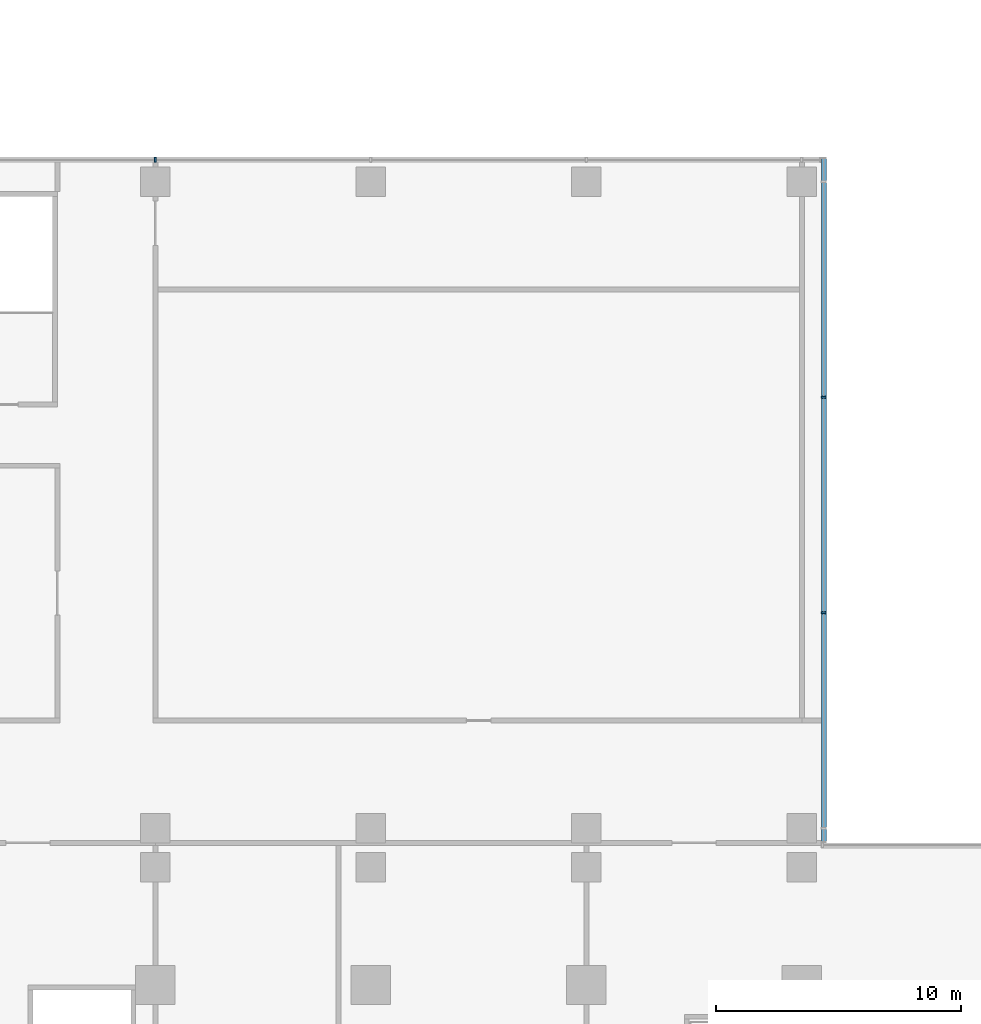
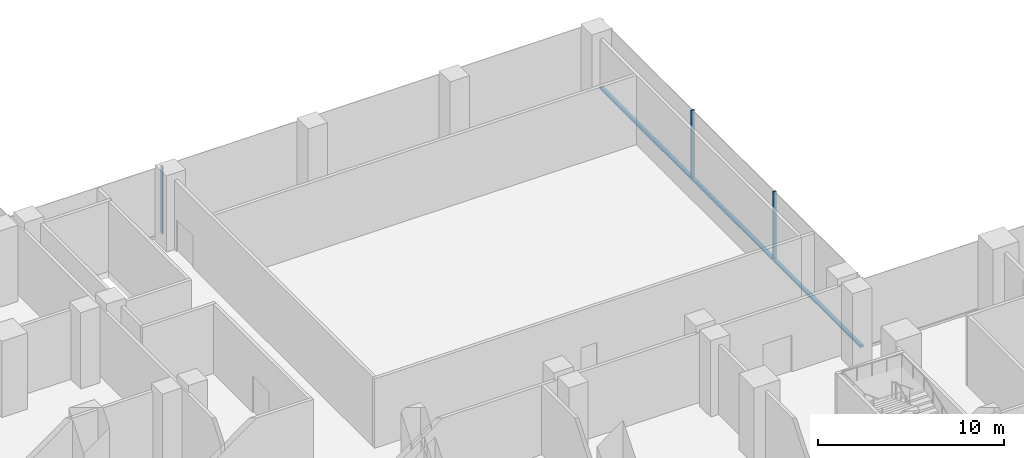
# One storey, part 8 of 27: 4 members, 2 elements without a shape of their own.
"""IFC4 building model written with IfcOpenShell, lengths in metres."""

from ifc_helpers import new_model, si_unit, direction, frame, origin, origin_2d, place, context, subcontext, project, spatial, rectangle, extrude, source, transform, mapped, material, material_profile, profile_set, type_object, element, aggregate, save


model = new_model("IFC4")

# Units and contexts
model_context = context("Model", 3, precision=1e-05, world=origin(), true_north=direction((0.0, 1.0)))
body_context = subcontext(model_context, "Body", "Model", "MODEL_VIEW")
ifc_project = project(units=[si_unit("LENGTHUNIT", "METRE"), si_unit("AREAUNIT", "SQUARE_METRE"), si_unit("VOLUMEUNIT", "CUBIC_METRE"), si_unit("PLANEANGLEUNIT", "RADIAN"), si_unit("MASSUNIT", "GRAM", prefix="KILO")], contexts=[model_context])

# Site, building, storey
site_placement = place(None, origin())
site = spatial("IfcSite", under=ifc_project, at=site_placement, CompositionType="ELEMENT")
building_placement = place(site_placement, origin())
building = spatial("IfcBuilding", under=site, at=building_placement, Name="Kemantara Hotel Tower", CompositionType="ELEMENT")
storey_placement = place(building_placement, frame((0.0, 0.0, 29.0)))
storey = spatial("IfcBuildingStorey", under=building, at=storey_placement, Name="L05", CompositionType="ELEMENT", Elevation=29.0)

# Curtain wall, members
ifc_material_1 = material(Name="Laminated tinted insulated glass 44 mm", Category="glass")
curtain_wall_type = type_object("IfcCurtainWallType", Name="PODIUM GLASS CURTAIN WALL", PredefinedType="USERDEFINED", material=ifc_material_1)
curtain_wall_1_placement = place(storey_placement, origin())
curtain_wall_1 = element("IfcCurtainWall", 1, at=curtain_wall_1_placement, inside=storey, type_object=curtain_wall_type, Name="CW1 L05 POD-R08-1", ObjectType="PODIUM GLASS CURTAIN WALL", PredefinedType="USERDEFINED")
ifc_material_2 = material(Name="Aluminium 6063-T6 bronze anodised", Category="aluminium")
ifc_material_profile_1 = material_profile(ifc_material_2, rectangle(XDim=0.199951171875, YDim=0.14990234375, at=origin_2d()), Name="PODIUM GLASS CURTAIN WALL TRANSOM")
ifc_profile_set_1 = profile_set([ifc_material_profile_1], Name="Aluminium 6063-T6 bronze anodised")
member_type_1 = type_object("IfcMemberType", Name="PODIUM GLASS CURTAIN WALL TRANSOM", PredefinedType="USERDEFINED", material=ifc_profile_set_1)
member_1_placement = place(storey_placement, frame((63.5, 26.800048828125, 0.074951171875), z_axis=(0.0, 1.0, 0.0), x_axis=(-1.0, 0.0, 0.0)))
member_1 = element("IfcMember", 2, at=member_1_placement, type_object=member_type_1, Name="CW1 sill transom POD-R08-1", ObjectType="TRANSOM", PredefinedType="USERDEFINED", context=body_context, shape_type="SweptSolid", body=[
    extrude(rectangle(XDim=0.199951171875, YDim=0.14990234375, at=origin_2d()), origin(), (0.0, 0.0, 1.0), 28.0),
])
ifc_material_profile_2 = material_profile(ifc_material_2, rectangle(XDim=0.199951171875, YDim=0.074951171875, at=origin_2d()), Name="PODIUM GLASS CURTAIN WALL MULLION")
ifc_profile_set_2 = profile_set([ifc_material_profile_2], Name="Aluminium 6063-T6 bronze anodised")
member_type_2 = type_object("IfcMemberType", Name="PODIUM GLASS CURTAIN WALL MULLION", PredefinedType="MULLION", material=ifc_profile_set_2)
shared_shape = source(origin(), body_context, "Body", "SweptSolid", [
    extrude(rectangle(XDim=0.199951171875, YDim=0.074951171875, at=origin_2d()), origin(), (0.0, 0.0, 1.0), 4.400146484375),
])
member_2_placement = place(storey_placement, frame((63.5, 36.199951171875, 0.14990234375), z_axis=(0.0, 0.0, 1.0), x_axis=(-1.0, 0.0, 0.0)))
member_2 = element("IfcMember", 3, at=member_2_placement, type_object=member_type_2, Name="CW1 mullion POD-R08-1.3", PredefinedType="MULLION", context=body_context, shape_type="MappedRepresentation", body=[
    mapped(shared_shape, transform((0.0, 0.0, 0.0))),
])
member_3_placement = place(storey_placement, frame((63.5, 45.0, 0.14990234375), z_axis=(0.0, 0.0, 1.0), x_axis=(-1.0, 0.0, 0.0)))
member_3 = element("IfcMember", 4, at=member_3_placement, type_object=member_type_2, Name="CW1 mullion POD-R08-1.4", PredefinedType="MULLION", context=body_context, shape_type="MappedRepresentation", body=[
    mapped(shared_shape, transform((0.0, 0.0, 0.0))),
])
aggregate(curtain_wall_1, [member_1, member_2, member_3])

# Curtain wall, member
curtain_wall_2_placement = place(storey_placement, origin())
curtain_wall_2 = element("IfcCurtainWall", 5, at=curtain_wall_2_placement, inside=storey, type_object=curtain_wall_type, Name="CW1 L05 POD-R09-1", ObjectType="PODIUM GLASS CURTAIN WALL", PredefinedType="USERDEFINED")
member_4_placement = place(storey_placement, frame((36.199951171875, 54.699951171875, 0.14990234375), z_axis=(0.0, 0.0, 1.0), x_axis=(0.0, -1.0, 0.0)))
member_4 = element("IfcMember", 6, at=member_4_placement, type_object=member_type_2, Name="CW1 mullion POD-R09-1.5", PredefinedType="MULLION", context=body_context, shape_type="MappedRepresentation", body=[
    mapped(shared_shape, transform((0.0, 0.0, 0.0))),
])
aggregate(curtain_wall_2, [member_4])

save(model, "model.ifc")
